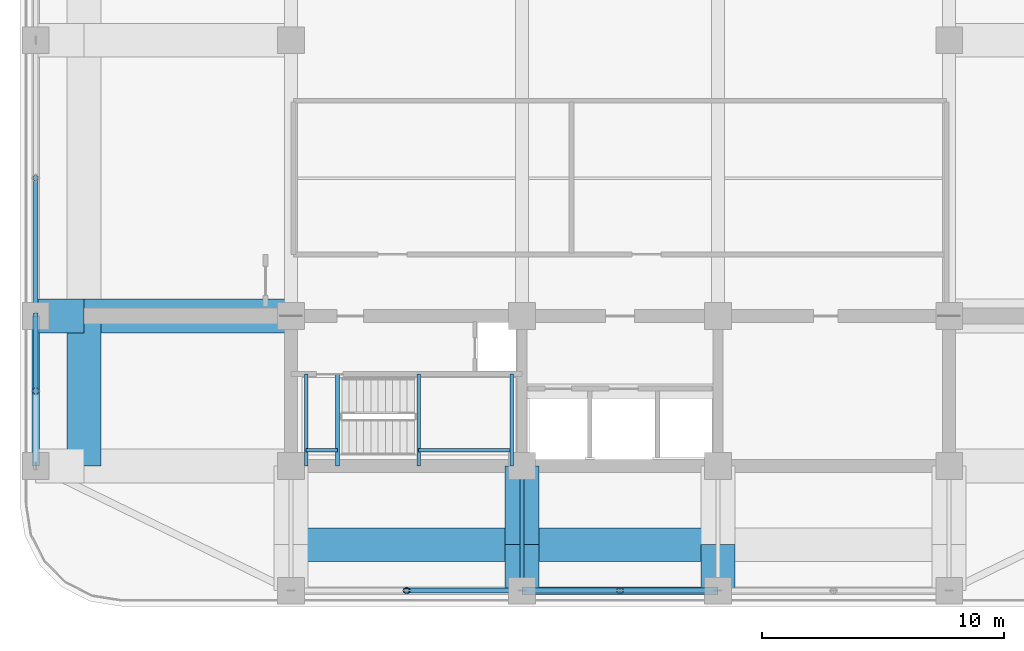
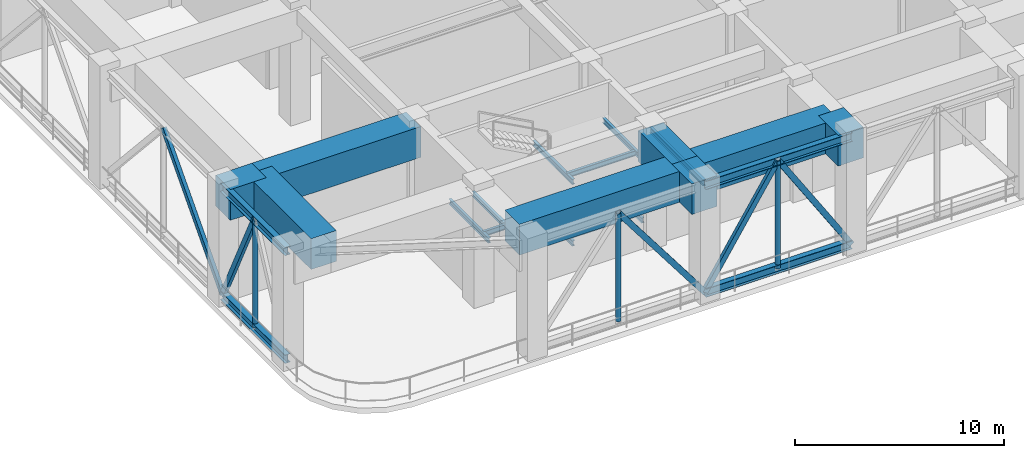
# One storey, part 2 of 20: 22 beams, 8 members.
"""IFC4 building model written with IfcOpenShell, lengths in metres."""

from ifc_helpers import new_model, si_unit, direction, frame, origin, origin_2d, place, context, subcontext, project, spatial, rectangle, hollow_rectangle, hollow_circle, i_section, extrude, material, material_profile, profile_set, type_object, element, save


model = new_model("IFC4")

# Units and contexts
model_context = context("Model", 3, precision=1e-05, world=origin(), true_north=direction((0.0, 1.0)))
body_context = subcontext(model_context, "Body", "Model", "MODEL_VIEW")
ifc_project = project(units=[si_unit("LENGTHUNIT", "METRE"), si_unit("AREAUNIT", "SQUARE_METRE"), si_unit("VOLUMEUNIT", "CUBIC_METRE"), si_unit("PLANEANGLEUNIT", "RADIAN"), si_unit("MASSUNIT", "GRAM", prefix="KILO")], contexts=[model_context])

# Site, building, storey
site_placement = place(None, origin())
site = spatial("IfcSite", under=ifc_project, at=site_placement, CompositionType="ELEMENT")
building_placement = place(site_placement, origin())
building = spatial("IfcBuilding", under=site, at=building_placement, Name="Svetorya Sky Lyceum", CompositionType="ELEMENT")
storey_placement = place(building_placement, frame((0.0, 0.0, 136.39990234375)))
storey = spatial("IfcBuildingStorey", under=building, at=storey_placement, Name="L34", CompositionType="ELEMENT", Elevation=136.39990234375)

# Beams
ifc_material_1 = material(Name="Steel S355", Category="steel")
ifc_material_profile_1 = material_profile(ifc_material_1, i_section(OverallWidth=0.14990234375, OverallDepth=0.299072265625, WebThickness=0.006591796875, FlangeThickness=0.010498046875, at=origin_2d()), Name="GOST 30B2")
ifc_profile_set_1 = profile_set([ifc_material_profile_1], Name="Steel S355")
beam_type_1 = type_object("IfcBeamType", Name="BM-STL-30B2", PredefinedType="JOIST", material=ifc_profile_set_1)
for number, where, z_axis, x_axis, name in (
    (1, (30.8798828125, 10.60009765625, 1.45068359375), (0.0, 1.0, 0.0), (-1.0, 0.0, 0.0), "L34 Stair ST-S Half-Landing Support Beam 38.1"),
    (2, (34.719970703125, 10.60009765625, 1.45068359375), (0.0, 1.0, 0.0), (-1.0, 0.0, 0.0), "L34 Stair ST-S Half-Landing Support Beam 38.2"),
):
    element("IfcBeam", number, at=place(storey_placement, frame(where, z_axis=z_axis, x_axis=x_axis)), inside=storey, type_object=beam_type_1, Name=name, PredefinedType="JOIST", context=body_context, shape_type="SweptSolid", body=[
        extrude(i_section(OverallWidth=0.14990234375, OverallDepth=0.299072265625, WebThickness=0.006591796875, FlangeThickness=0.010498046875, at=origin_2d()), origin(), (0.0, 0.0, 1.0), 3.7998046875),
    ])
beam_1_placement = place(storey_placement, frame((30.8798828125, 11.25, 1.45068359375), z_axis=(1.0, 0.0, 0.0), x_axis=(0.0, 1.0, 0.0)))
element("IfcBeam", 3, at=beam_1_placement, inside=storey, type_object=beam_type_1, Name="L34 Stair ST-S Half-Landing Cross Tie 38", PredefinedType="JOIST", context=body_context, shape_type="SweptSolid", body=[
    extrude(i_section(OverallWidth=0.14990234375, OverallDepth=0.299072265625, WebThickness=0.006591796875, FlangeThickness=0.010498046875, at=origin_2d()), origin(), (0.0, 0.0, 1.0), 3.840087890625),
])
for number, where, z_axis, x_axis, name in (
    (4, (26.22998046875, 10.60009765625, 3.25048828125), (0.0, 1.0, 0.0), (-1.0, 0.0, 0.0), "L34 Stair ST-S Half-Landing Support Beam 39.1"),
    (5, (27.52001953125, 10.60009765625, 3.25048828125), (0.0, 1.0, 0.0), (-1.0, 0.0, 0.0), "L34 Stair ST-S Half-Landing Support Beam 39.2"),
):
    element("IfcBeam", number, at=place(storey_placement, frame(where, z_axis=z_axis, x_axis=x_axis)), inside=storey, type_object=beam_type_1, Name=name, PredefinedType="JOIST", context=body_context, shape_type="SweptSolid", body=[
        extrude(i_section(OverallWidth=0.14990234375, OverallDepth=0.299072265625, WebThickness=0.006591796875, FlangeThickness=0.010498046875, at=origin_2d()), origin(), (0.0, 0.0, 1.0), 3.7998046875),
    ])
beam_2_placement = place(storey_placement, frame((26.22998046875, 11.25, 3.25048828125), z_axis=(1.0, 0.0, 0.0), x_axis=(0.0, 1.0, 0.0)))
element("IfcBeam", 6, at=beam_2_placement, inside=storey, type_object=beam_type_1, Name="L34 Stair ST-S Half-Landing Cross Tie 39", PredefinedType="JOIST", context=body_context, shape_type="SweptSolid", body=[
    extrude(i_section(OverallWidth=0.14990234375, OverallDepth=0.299072265625, WebThickness=0.006591796875, FlangeThickness=0.010498046875, at=origin_2d()), origin(), (0.0, 0.0, 1.0), 1.2900390625),
])
for number, where, z_axis, x_axis, name in (
    (7, (30.8798828125, 10.60009765625, 5.050537109375), (0.0, 1.0, 0.0), (-1.0, 0.0, 0.0), "L34 Stair ST-S Half-Landing Support Beam 40.1"),
    (8, (34.719970703125, 10.60009765625, 5.050537109375), (0.0, 1.0, 0.0), (-1.0, 0.0, 0.0), "L34 Stair ST-S Half-Landing Support Beam 40.2"),
):
    element("IfcBeam", number, at=place(storey_placement, frame(where, z_axis=z_axis, x_axis=x_axis)), inside=storey, type_object=beam_type_1, Name=name, PredefinedType="JOIST", context=body_context, shape_type="SweptSolid", body=[
        extrude(i_section(OverallWidth=0.14990234375, OverallDepth=0.299072265625, WebThickness=0.006591796875, FlangeThickness=0.010498046875, at=origin_2d()), origin(), (0.0, 0.0, 1.0), 3.7998046875),
    ])
beam_3_placement = place(storey_placement, frame((30.8798828125, 11.25, 5.050537109375), z_axis=(1.0, 0.0, 0.0), x_axis=(0.0, 1.0, 0.0)))
element("IfcBeam", 9, at=beam_3_placement, inside=storey, type_object=beam_type_1, Name="L34 Stair ST-S Half-Landing Cross Tie 40", PredefinedType="JOIST", context=body_context, shape_type="SweptSolid", body=[
    extrude(i_section(OverallWidth=0.14990234375, OverallDepth=0.299072265625, WebThickness=0.006591796875, FlangeThickness=0.010498046875, at=origin_2d()), origin(), (0.0, 0.0, 1.0), 3.840087890625),
])
ifc_material_profile_2 = material_profile(ifc_material_1, i_section(OverallWidth=0.155029296875, OverallDepth=0.34912109375, WebThickness=0.007080078125, FlangeThickness=0.011474609375, at=origin_2d()), Name="GOST 35B2")
ifc_profile_set_2 = profile_set([ifc_material_profile_2], Name="Steel S355")
beam_type_2 = type_object("IfcBeamType", Name="BM-STL-35B2", PredefinedType="JOIST", material=ifc_profile_set_2)
beam_4_placement = place(storey_placement, frame((35.14990234375, 5.449951171875, 6.62548828125), z_axis=(0.0, 1.0, 0.0), x_axis=(-1.0, 0.0, 0.0)))
element("IfcBeam", 10, at=beam_4_placement, inside=storey, type_object=beam_type_2, Name="L34 South Bay Floor Girder S2", PredefinedType="JOIST", context=body_context, shape_type="SweptSolid", body=[
    extrude(i_section(OverallWidth=0.155029296875, OverallDepth=0.34912109375, WebThickness=0.007080078125, FlangeThickness=0.011474609375, at=origin_2d()), origin(), (0.0, 0.0, 1.0), 5.150146484375),
])
ifc_material_profile_3 = material_profile(ifc_material_1, i_section(OverallWidth=0.300048828125, OverallDepth=0.491943359375, WebThickness=0.012939453125, FlangeThickness=0.0205078125, at=origin_2d()), Name="GOST 50Sh2")
ifc_profile_set_3 = profile_set([ifc_material_profile_3], Name="Steel S355")
beam_type_3 = type_object("IfcBeamType", Name="BM-STL-50SH2", PredefinedType="BEAM", material=ifc_profile_set_3)
for number, where, z_axis, x_axis, name in (
    (11, (35.14990234375, 5.449951171875, 0.24609375), (1.0, 0.0, 0.0), (0.0, 1.0, 0.0), "L34 Belt Truss Bottom Chord S-2"),
    (12, (35.14990234375, 5.449951171875, 6.55419921875), (1.0, 0.0, 0.0), (0.0, 1.0, 0.0), "L34 Belt Truss Top Chord S-2"),
):
    element("IfcBeam", number, at=place(storey_placement, frame(where, z_axis=z_axis, x_axis=x_axis)), inside=storey, type_object=beam_type_3, Name=name, PredefinedType="BEAM", context=body_context, shape_type="SweptSolid", body=[
        extrude(i_section(OverallWidth=0.300048828125, OverallDepth=0.491943359375, WebThickness=0.012939453125, FlangeThickness=0.0205078125, at=origin_2d()), origin(), (0.0, 0.0, 1.0), 8.10009765625),
    ])
for number, where, z_axis, x_axis, name in (
    (13, (15.050048828125, 10.60009765625, 0.24609375), (0.0, 1.0, 0.0), (-1.0, 0.0, 0.0), "L34 Belt Truss Bottom Chord W-1"),
    (14, (15.050048828125, 10.60009765625, 6.55419921875), (0.0, 1.0, 0.0), (-1.0, 0.0, 0.0), "L34 Belt Truss Top Chord W-1"),
):
    element("IfcBeam", number, at=place(storey_placement, frame(where, z_axis=z_axis, x_axis=x_axis)), inside=storey, type_object=beam_type_3, Name=name, PredefinedType="BEAM", context=body_context, shape_type="SweptSolid", body=[
        extrude(i_section(OverallWidth=0.300048828125, OverallDepth=0.491943359375, WebThickness=0.012939453125, FlangeThickness=0.0205078125, at=origin_2d()), origin(), (0.0, 0.0, 1.0), 6.199951171875),
    ])
ifc_material_2 = material(Name="Concrete C60/75", Category="concrete")
ifc_material_profile_4 = material_profile(ifc_material_2, rectangle(XDim=1.39990234375, YDim=1.800048828125, at=origin_2d()), Name="RC TRANSFER 1400x1800")
ifc_profile_set_4 = profile_set([ifc_material_profile_4], Name="Concrete C60/75")
beam_type_4 = type_object("IfcBeamType", Name="BM-TRF-2200", PredefinedType="BEAM", material=ifc_profile_set_4)
beam_5_placement = place(storey_placement, frame((15.050048828125, 16.800048828125, 5.900146484375), z_axis=(1.0, 0.0, 0.0), x_axis=(0.0, 1.0, 0.0)))
element("IfcBeam", 15, at=beam_5_placement, inside=storey, type_object=beam_type_4, Name="L34 West Outer Transfer Girder 2", PredefinedType="BEAM", context=body_context, shape_type="SweptSolid", body=[
    extrude(rectangle(XDim=1.39990234375, YDim=1.800048828125, at=origin_2d()), origin(), (0.0, 0.0, 1.0), 2.0),
])
beam_6_placement = place(storey_placement, frame((17.050048828125, 16.800048828125, 5.900146484375), z_axis=(1.0, 0.0, 0.0), x_axis=(0.0, 1.0, 0.0)))
element("IfcBeam", 16, at=beam_6_placement, inside=storey, type_object=beam_type_4, Name="L34 West Inner Transfer Girder 2", PredefinedType="BEAM", context=body_context, shape_type="SweptSolid", body=[
    extrude(rectangle(XDim=1.39990234375, YDim=1.800048828125, at=origin_2d()), origin(), (0.0, 0.0, 1.0), 8.550048828125),
])
beam_7_placement = place(storey_placement, frame((17.050048828125, 10.60009765625, 5.900146484375), z_axis=(0.0, 1.0, 0.0), x_axis=(-1.0, 0.0, 0.0)))
element("IfcBeam", 17, at=beam_7_placement, inside=storey, type_object=beam_type_4, Name="L34 West Setback Transfer Girder 1", PredefinedType="BEAM", context=body_context, shape_type="SweptSolid", body=[
    extrude(rectangle(XDim=1.39990234375, YDim=1.800048828125, at=origin_2d()), origin(), (0.0, 0.0, 1.0), 6.199951171875),
])
beam_8_placement = place(storey_placement, frame((35.14990234375, 5.449951171875, 5.900146484375), z_axis=(0.0, 1.0, 0.0), x_axis=(-1.0, 0.0, 0.0)))
element("IfcBeam", 18, at=beam_8_placement, inside=storey, type_object=beam_type_4, Name="L34 South Outer Transfer Girder 2", PredefinedType="BEAM", context=body_context, shape_type="SweptSolid", body=[
    extrude(rectangle(XDim=1.39990234375, YDim=1.800048828125, at=origin_2d()), origin(), (0.0, 0.0, 1.0), 1.900146484375),
])
beam_9_placement = place(storey_placement, frame((35.14990234375, 7.35009765625, 5.900146484375), z_axis=(0.0, 1.0, 0.0), x_axis=(-1.0, 0.0, 0.0)))
element("IfcBeam", 19, at=beam_9_placement, inside=storey, type_object=beam_type_4, Name="L34 South Inner Transfer Girder 2", PredefinedType="BEAM", context=body_context, shape_type="SweptSolid", body=[
    extrude(rectangle(XDim=1.39990234375, YDim=1.800048828125, at=origin_2d()), origin(), (0.0, 0.0, 1.0), 3.25),
])
beam_10_placement = place(storey_placement, frame((43.25, 5.449951171875, 5.900146484375), z_axis=(0.0, 1.0, 0.0), x_axis=(-1.0, 0.0, 0.0)))
element("IfcBeam", 20, at=beam_10_placement, inside=storey, type_object=beam_type_4, Name="L34 South Outer Transfer Girder 3", PredefinedType="BEAM", context=body_context, shape_type="SweptSolid", body=[
    extrude(rectangle(XDim=1.39990234375, YDim=1.800048828125, at=origin_2d()), origin(), (0.0, 0.0, 1.0), 1.900146484375),
])
beam_11_placement = place(storey_placement, frame((25.60009765625, 7.35009765625, 5.900146484375), z_axis=(1.0, 0.0, 0.0), x_axis=(0.0, 1.0, 0.0)))
element("IfcBeam", 21, at=beam_11_placement, inside=storey, type_object=beam_type_4, Name="L34 South Setback Transfer Girder 1", PredefinedType="BEAM", context=body_context, shape_type="SweptSolid", body=[
    extrude(rectangle(XDim=1.39990234375, YDim=1.800048828125, at=origin_2d()), origin(), (0.0, 0.0, 1.0), 9.5498046875),
])
beam_12_placement = place(storey_placement, frame((35.14990234375, 7.35009765625, 5.900146484375), z_axis=(1.0, 0.0, 0.0), x_axis=(0.0, 1.0, 0.0)))
element("IfcBeam", 22, at=beam_12_placement, inside=storey, type_object=beam_type_4, Name="L34 South Setback Transfer Girder 2", PredefinedType="BEAM", context=body_context, shape_type="SweptSolid", body=[
    extrude(rectangle(XDim=1.39990234375, YDim=1.800048828125, at=origin_2d()), origin(), (0.0, 0.0, 1.0), 8.10009765625),
])

# Members
ifc_material_profile_5 = material_profile(ifc_material_1, hollow_rectangle(XDim=0.199951171875, YDim=0.300048828125, WallThickness=0.011962890625, at=origin_2d()), Name="RHS 300x200x12")
ifc_profile_set_5 = profile_set([ifc_material_profile_5], Name="Steel S355")
member_type_1 = type_object("IfcMemberType", Name="MB-BRC-RHS300", PredefinedType="BRACE", material=ifc_profile_set_5)
member_1_placement = place(storey_placement, frame((35.14990234375, 5.449951171875, 0.24609375), z_axis=(-0.603539184165, 0.0, 0.79733333881), x_axis=(0.0, -1.0, 0.0)))
element("IfcMember", 23, at=member_1_placement, inside=storey, type_object=member_type_1, Name="L34 Belt Truss Diagonal S-1B", PredefinedType="BRACE", context=body_context, shape_type="SweptSolid", body=[
    extrude(hollow_rectangle(XDim=0.199951171875, YDim=0.300048828125, WallThickness=0.011962890625, at=origin_2d()), origin(), (0.0, 0.0, 1.0), 7.91162109375),
])
for number, where, z_axis, x_axis, name in (
    (24, (35.14990234375, 5.449951171875, 0.24609375), (0.540270274168, 0.0, 0.841491551265), (0.0, 1.0, 0.0), "L34 Belt Truss Diagonal S-2A"),
    (25, (43.25, 5.449951171875, 0.24609375), (-0.540270274168, 0.0, 0.841491551265), (0.0, -1.0, 0.0), "L34 Belt Truss Diagonal S-2B"),
):
    element("IfcMember", number, at=place(storey_placement, frame(where, z_axis=z_axis, x_axis=x_axis)), inside=storey, type_object=member_type_1, Name=name, PredefinedType="BRACE", context=body_context, shape_type="SweptSolid", body=[
        extrude(hollow_rectangle(XDim=0.199951171875, YDim=0.300048828125, WallThickness=0.011962890625, at=origin_2d()), origin(), (0.0, 0.0, 1.0), 7.496337890625),
    ])
member_2_placement = place(storey_placement, frame((15.050048828125, 16.800048828125, 0.24609375), z_axis=(0.0, -0.44106194912, 0.897476660999), x_axis=(1.0, 0.0, 0.0)))
element("IfcMember", 26, at=member_2_placement, inside=storey, type_object=member_type_1, Name="L34 Belt Truss Diagonal W-1B", PredefinedType="BRACE", context=body_context, shape_type="SweptSolid", body=[
    extrude(hollow_rectangle(XDim=0.199951171875, YDim=0.300048828125, WallThickness=0.011962890625, at=origin_2d()), origin(), (0.0, 0.0, 1.0), 7.02880859375),
])
member_3_placement = place(storey_placement, frame((15.050048828125, 16.800048828125, 0.24609375), z_axis=(0.0, 0.670435716406, 0.7419676207), x_axis=(-1.0, 0.0, 0.0)))
element("IfcMember", 27, at=member_3_placement, inside=storey, type_object=member_type_1, Name="L34 Belt Truss Diagonal W-2A", PredefinedType="BRACE", context=body_context, shape_type="SweptSolid", body=[
    extrude(hollow_rectangle(XDim=0.199951171875, YDim=0.300048828125, WallThickness=0.011962890625, at=origin_2d()), origin(), (0.0, 0.0, 1.0), 8.501953125),
])
ifc_material_profile_6 = material_profile(ifc_material_1, hollow_circle(Radius=0.136474609375, WallThickness=0.011962890625, at=origin_2d()), Name="CHS 273x12")
ifc_profile_set_6 = profile_set([ifc_material_profile_6], Name="Steel S355")
member_type_2 = type_object("IfcMemberType", Name="MB-STR-CHS273", PredefinedType="STRUT", material=ifc_profile_set_6)
for number, where, z_axis, x_axis, name in (
    (28, (30.375, 5.449951171875, 0.24609375), (0.0, 0.0, 1.0), (1.0, 0.0, 0.0), "L34 Belt Truss Post S-1"),
    (29, (39.199951171875, 5.449951171875, 0.24609375), (0.0, 0.0, 1.0), (1.0, 0.0, 0.0), "L34 Belt Truss Post S-2"),
    (30, (15.050048828125, 13.699951171875, 0.24609375), (0.0, 0.0, 1.0), (1.0, 0.0, 0.0), "L34 Belt Truss Post W-1"),
):
    element("IfcMember", number, at=place(storey_placement, frame(where, z_axis=z_axis, x_axis=x_axis)), inside=storey, type_object=member_type_2, Name=name, PredefinedType="STRUT", context=body_context, shape_type="SweptSolid", body=[
        extrude(hollow_circle(Radius=0.136474609375, WallThickness=0.011962890625, at=origin_2d()), origin(), (0.0, 0.0, 1.0), 6.30810546875),
    ])

save(model, "model.ifc")
